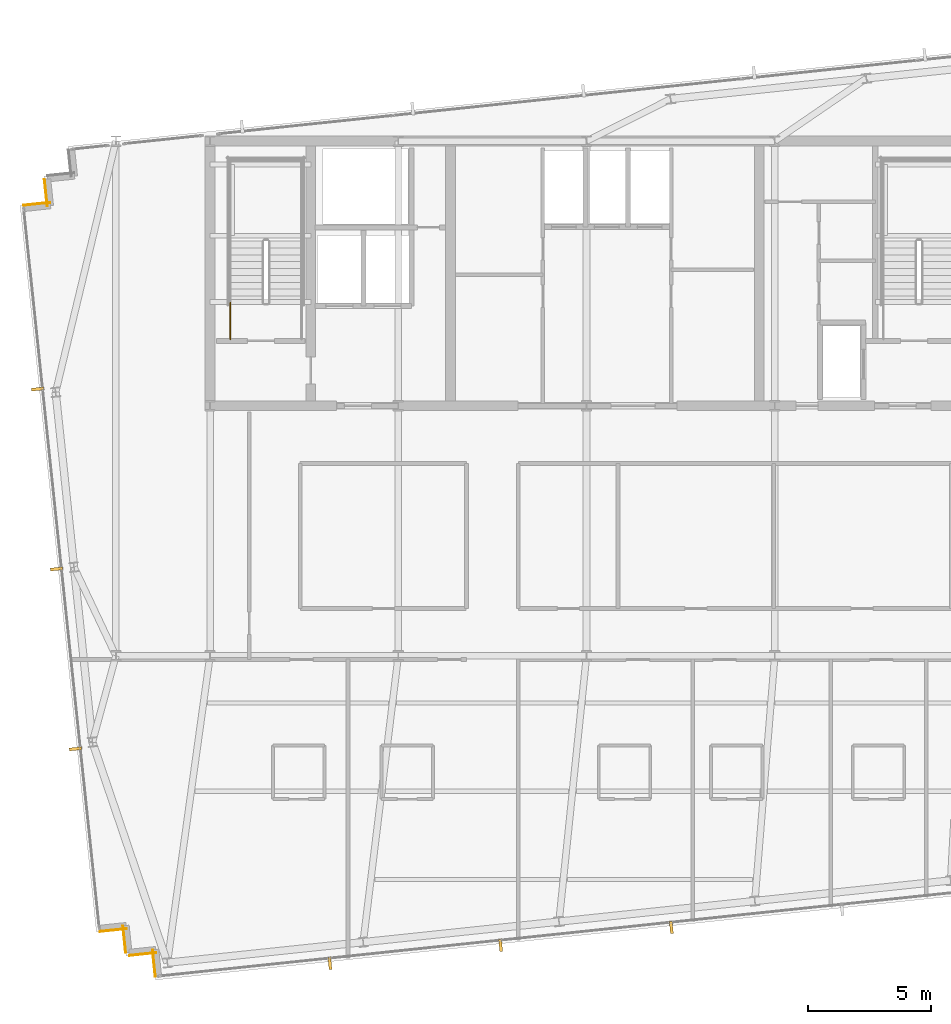
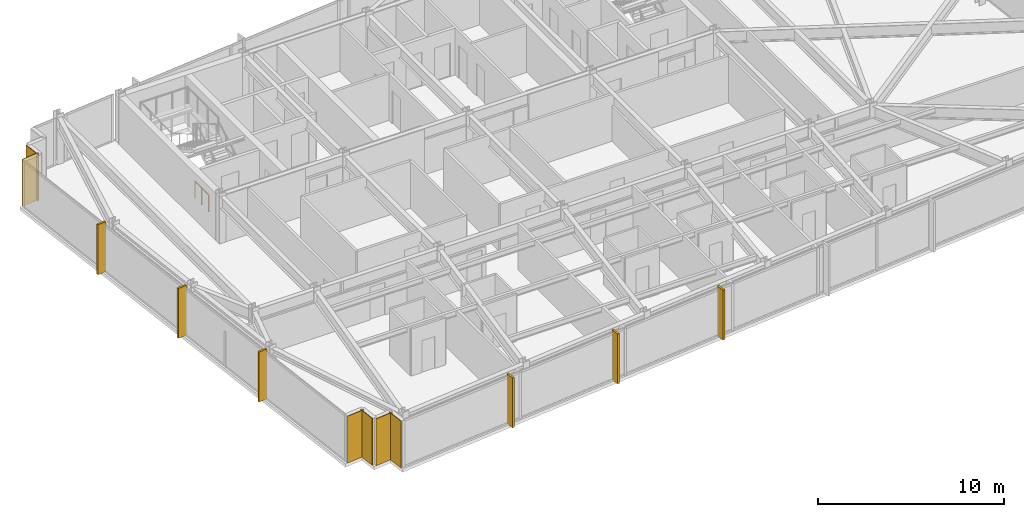
# One storey, part 30 of 33: 6 coverings, 6 shading devices, 1 railing.
"""IFC4 building model written with IfcOpenShell, lengths in metres."""

from ifc_helpers import new_model, si_unit, direction, frame, frame_2d, origin, origin_2d, place, context, subcontext, project, spatial, rectangle, circle, extrude, material, layer, layer_set, type_object, element, save


model = new_model("IFC4")

# Units and contexts
model_context = context("Model", 3, precision=1e-05, world=origin(), true_north=direction((0.0, 1.0)))
body_context = subcontext(model_context, "Body", "Model", "MODEL_VIEW")
ifc_project = project(units=[si_unit("LENGTHUNIT", "METRE"), si_unit("AREAUNIT", "SQUARE_METRE"), si_unit("VOLUMEUNIT", "CUBIC_METRE"), si_unit("PLANEANGLEUNIT", "RADIAN"), si_unit("MASSUNIT", "GRAM", prefix="KILO")], contexts=[model_context])

# Site, building, storey
site_placement = place(None, origin())
site = spatial("IfcSite", under=ifc_project, at=site_placement, CompositionType="ELEMENT")
building_placement = place(site_placement, origin())
building = spatial("IfcBuilding", under=site, at=building_placement, Name="Yelkora Congress Tower", CompositionType="ELEMENT")
storey_placement = place(building_placement, frame((0.0, 0.0, 240.800048828125)))
storey = spatial("IfcBuildingStorey", under=building, at=storey_placement, Name="L67", CompositionType="ELEMENT", Elevation=240.800048828125)

# Coverings
ifc_material_1 = material(Name="Anatolian bush-hammered limestone", Category="masonry")
ifc_layer_1 = layer(ifc_material_1, 0.0400390625)
ifc_layer_set_1 = layer_set([ifc_layer_1], Name="Anatolian bush-hammered limestone")
covering_type = type_object("IfcCoveringType", Name="COV-CLAD-SPANDREL-40", PredefinedType="CLADDING", material=ifc_layer_set_1)
covering_1_placement = place(storey_placement, frame((20.810302734375, 12.114501953125, 0.0), z_axis=(0.0, 0.0, 1.0), x_axis=(-0.104557671117, 0.994518825066, 0.0)))
element("IfcCovering", 1, at=covering_1_placement, inside=storey, type_object=covering_type, Name="L67 Anatolian Limestone Cladding EW-L67-SR01", PredefinedType="CLADDING", context=body_context, shape_type="SweptSolid", body=[
    extrude(rectangle(XDim=1.099853515625, YDim=0.0400390625, at=frame_2d((0.5498046875, 0.0))), origin(), (0.0, 0.0, 1.0), 3.079833984375),
])
for number, where, z_axis, x_axis, name in (
    (2, (20.84375, 13.088134765625, 0.0), (0.0, 0.0, 1.0), (-0.994521251134, -0.104534592565, 0.0), "L67 Anatolian Limestone Cladding EW-L67-SR02"),
    (3, (19.601318359375, 13.09326171875, 0.0), (0.0, 0.0, 1.0), (-0.104534592565, 0.994521251134, 0.0), "L67 Anatolian Limestone Cladding EW-L67-SR03"),
    (4, (19.634765625, 14.067138671875, 0.0), (0.0, 0.0, 1.0), (-0.994521251134, -0.104534592565, 0.0), "L67 Anatolian Limestone Cladding EW-L67-SR04"),
):
    element("IfcCovering", number, at=place(storey_placement, frame(where, z_axis=z_axis, x_axis=x_axis)), inside=storey, type_object=covering_type, Name=name, PredefinedType="CLADDING", context=body_context, shape_type="SweptSolid", body=[
        extrude(rectangle(XDim=1.10009765625, YDim=0.0400390625, at=frame_2d((0.550048828125, 0.0))), origin(), (0.0, 0.0, 1.0), 3.079833984375),
    ])
covering_2_placement = place(storey_placement, frame((15.427001953125, 43.5791015625, 0.0), z_axis=(0.0, 0.0, 1.0), x_axis=(0.994518825066, 0.104557671117, 0.0)))
element("IfcCovering", 5, at=covering_2_placement, inside=storey, type_object=covering_type, Name="L67 Anatolian Limestone Cladding EW-L67-SR06", PredefinedType="CLADDING", context=body_context, shape_type="SweptSolid", body=[
    extrude(rectangle(XDim=1.099853515625, YDim=0.0400390625, at=frame_2d((0.5498046875, 0.0))), origin(), (0.0, 0.0, 1.0), 3.079833984375),
])
covering_3_placement = place(storey_placement, frame((16.400634765625, 43.545654296875, 0.0), z_axis=(0.0, 0.0, 1.0), x_axis=(-0.104315068386, 0.994544300928, 0.0)))
element("IfcCovering", 6, at=covering_3_placement, inside=storey, type_object=covering_type, Name="L67 Anatolian Limestone Cladding EW-L67-SR07", PredefinedType="CLADDING", context=body_context, shape_type="SweptSolid", body=[
    extrude(rectangle(XDim=1.10009765625, YDim=0.0400390625, at=frame_2d((0.550048828125, 0.0))), origin(), (0.0, 0.0, 1.0), 3.079833984375),
])

# Railing
ifc_material_2 = material(Name="Painted galvanised steel stair well guard with vertical infill", Category="steel")
ifc_layer_2 = layer(ifc_material_2, 0.06005859375)
ifc_layer_set_2 = layer_set([ifc_layer_2], Name="Painted galvanised steel stair well guard with vertical infill")
railing_type = type_object("IfcRailingType", Name="RAIL-STAIR-GUARD-1120", PredefinedType="GUARDRAIL", material=ifc_layer_set_2)
railing_placement = place(storey_placement, frame((23.8701171875, 38.1201171875, 0.0)))
element("IfcRailing", 7, at=railing_placement, inside=storey, type_object=railing_type, Name="ST-01 L67 Stair Well Guardrail 9", PredefinedType="GUARDRAIL", context=body_context, shape_type="SweptSolid", body=[
    extrude(circle(Radius=0.02392578125, at=origin_2d()), frame((0.0, 0.0, 1.09619140625), z_axis=(0.0, 1.0, 0.0), x_axis=(-1.0, 0.0, 0.0)), (0.0, 0.0, 1.0), 1.47998046875),
    extrude(circle(Radius=0.02099609375, at=origin_2d()), origin(), (0.0, 0.0, 1.0), 1.072021484375),
    extrude(circle(Radius=0.02099609375, at=origin_2d()), frame((0.0, 0.739990234375, 0.0)), (0.0, 0.0, 1.0), 1.072021484375),
    extrude(circle(Radius=0.02099609375, at=origin_2d()), frame((0.0, 1.47998046875, 0.0)), (0.0, 0.0, 1.0), 1.072021484375),
])

# Shading devices
ifc_material_3 = material(Name="Champagne anodised aluminium", Category="aluminium")
ifc_layer_3 = layer(ifc_material_3, 3.300048828125)
ifc_layer_set_3 = layer_set([ifc_layer_3], Name="Champagne anodised aluminium")
shading_device_type = type_object("IfcShadingDeviceType", Name="SHD-FIN-ALU-520", PredefinedType="USERDEFINED", material=ifc_layer_set_3)
for number, where, z_axis, x_axis, name in (
    (8, (17.556396484375, 21.405029296875, -0.0302734375), (0.0, 0.0, 1.0), (-0.104528463268, 0.994521895368, 0.0), "L67 Vertical Anodised Solar Fin 5-1"),
    (9, (16.784912109375, 28.74462890625, -0.0302734375), (0.0, 0.0, 1.0), (-0.104528463268, 0.994521895368, 0.0), "L67 Vertical Anodised Solar Fin 5-2"),
    (10, (16.013671875, 36.084228515625, -0.0302734375), (0.0, 0.0, 1.0), (-0.104528463268, 0.994521895368, 0.0), "L67 Vertical Anodised Solar Fin 5-3"),
    (11, (41.85888671875, 14.12548828125, -0.0302734375), (0.0, 0.0, 1.0), (-0.994521895368, -0.104528463268, 0.0), "L67 Vertical Anodised Solar Fin 20-4"),
    (12, (34.89453125, 13.3935546875, -0.0302734375), (0.0, 0.0, 1.0), (-0.994521895368, -0.104528463268, 0.0), "L67 Vertical Anodised Solar Fin 20-5"),
    (13, (27.929931640625, 12.66162109375, -0.0302734375), (0.0, 0.0, 1.0), (-0.994521895368, -0.104528463268, 0.0), "L67 Vertical Anodised Solar Fin 20-6"),
):
    element("IfcShadingDevice", number, at=place(storey_placement, frame(where, z_axis=z_axis, x_axis=x_axis)), inside=storey, type_object=shading_device_type, Name=name, ObjectType="FIN", PredefinedType="USERDEFINED", context=body_context, shape_type="SweptSolid", body=[
        extrude(rectangle(XDim=0.1201171875, YDim=0.52001953125, at=origin_2d()), origin(), (0.0, 0.0, 1.0), 3.280029296875),
    ])

save(model, "model.ifc")
